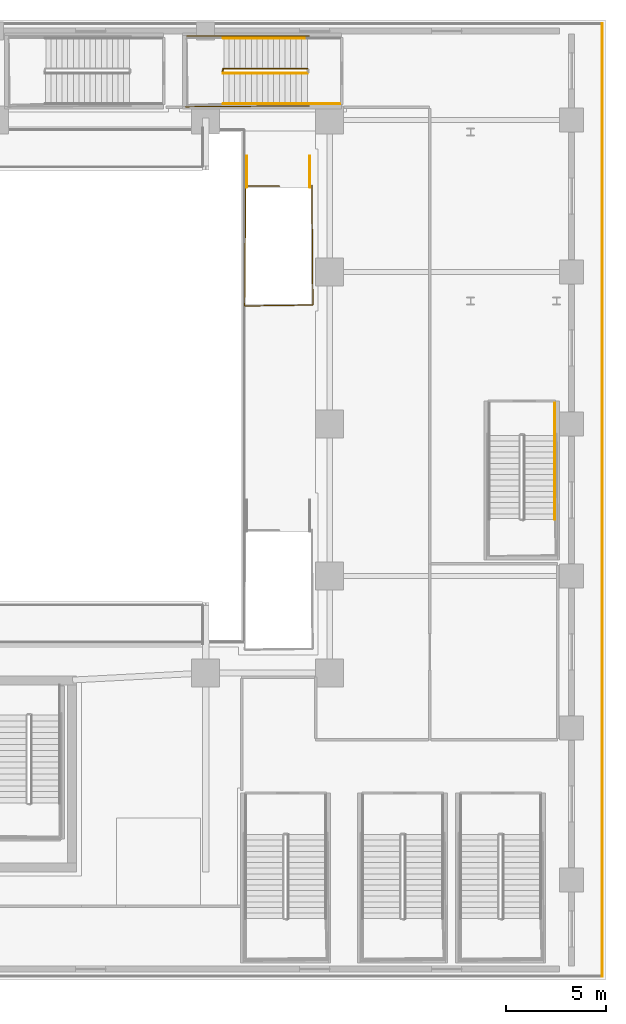
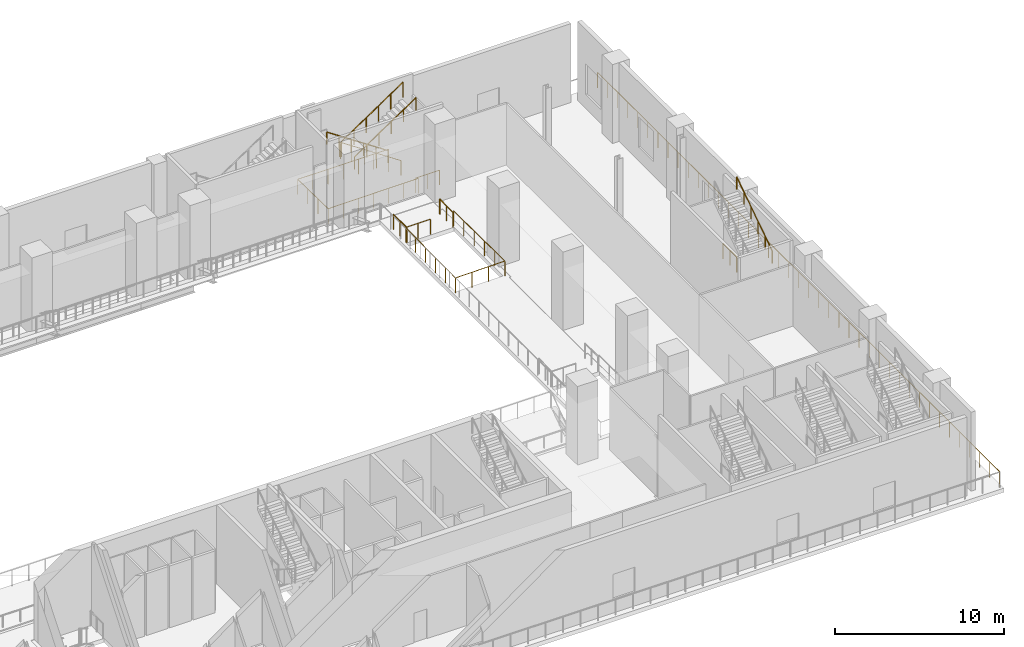
# One storey, part 27 of 28: 12 railings.
"""IFC4 building model written with IfcOpenShell, lengths in metres."""

from ifc_helpers import new_model, si_unit, direction, frame, origin, origin_2d, place, context, subcontext, project, spatial, circle, extrude, material, layer, layer_set, type_object, element, save


model = new_model("IFC4")

# Units and contexts
model_context = context("Model", 3, precision=1e-05, world=origin(), true_north=direction((0.0, 1.0)))
body_context = subcontext(model_context, "Body", "Model", "MODEL_VIEW")
ifc_project = project(units=[si_unit("LENGTHUNIT", "METRE"), si_unit("AREAUNIT", "SQUARE_METRE"), si_unit("VOLUMEUNIT", "CUBIC_METRE"), si_unit("PLANEANGLEUNIT", "RADIAN"), si_unit("MASSUNIT", "GRAM", prefix="KILO")], contexts=[model_context])

# Site, building, storey
site_placement = place(None, origin())
site = spatial("IfcSite", under=ifc_project, at=site_placement, CompositionType="ELEMENT")
building_placement = place(site_placement, origin())
building = spatial("IfcBuilding", under=site, at=building_placement, Name="Ndaravel Arena Tower", CompositionType="ELEMENT")
storey_placement = place(building_placement, frame((0.0, 0.0, 18.0)))
storey = spatial("IfcBuildingStorey", under=building, at=storey_placement, Name="L03", CompositionType="ELEMENT", Elevation=18.0)

# Railings
ifc_material_1 = material(Name="Steel S355", Category="steel")
ifc_layer_1 = layer(ifc_material_1, 0.06005859375)
ifc_layer_set_1 = layer_set([ifc_layer_1], Name="Steel S355")
railing_type_1 = type_object("IfcRailingType", Name="RAIL-STAIR-GD1100", PredefinedType="GUARDRAIL", material=ifc_layer_set_1)
railing_1_placement = place(storey_placement, frame((69.080078125, 45.570068359375, 0.1875)))
element("IfcRailing", 1, at=railing_1_placement, inside=storey, type_object=railing_type_1, Name="L03 ST-A11 stair guard 1", PredefinedType="GUARDRAIL", context=body_context, shape_type="SweptSolid", body=[
    extrude(circle(Radius=0.02392578125, at=origin_2d()), frame((0.0, 0.0, 1.076171875), z_axis=(-0.830919138977, 0.0, 0.55639319234), x_axis=(0.0, -1.0, 0.0)), (0.0, 0.0, 1.0), 5.054931640625),
    extrude(circle(Radius=0.02392578125, at=origin_2d()), frame((-4.2001953125, 0.0, 3.888671875), z_axis=(-0.253331722487, -0.967379469692, 0.0), x_axis=(0.967379469692, -0.253331722487, 0.0)), (0.0, 0.0, 1.0), 0.196533203125),
    extrude(circle(Radius=0.02099609375, at=origin_2d()), origin(), (0.0, 0.0, 1.0), 1.052001953125),
    extrude(circle(Radius=0.02099609375, at=origin_2d()), frame((-0.840087890625, 0.0, 0.5625)), (0.0, 0.0, 1.0), 1.052001953125),
    extrude(circle(Radius=0.02099609375, at=origin_2d()), frame((-1.68017578125, 0.0, 1.125)), (0.0, 0.0, 1.0), 1.052001953125),
    extrude(circle(Radius=0.02099609375, at=origin_2d()), frame((-2.52001953125, 0.0, 1.6875)), (0.0, 0.0, 1.0), 1.052001953125),
    extrude(circle(Radius=0.02099609375, at=origin_2d()), frame((-3.360107421875, 0.0, 2.25)), (0.0, 0.0, 1.0), 1.052001953125),
    extrude(circle(Radius=0.02099609375, at=origin_2d()), frame((-4.2001953125, 0.0, 2.8125)), (0.0, 0.0, 1.0), 1.052001953125),
    extrude(circle(Radius=0.02099609375, at=origin_2d()), frame((-4.25, -0.190185546875, 2.8125)), (0.0, 0.0, 1.0), 1.052001953125),
])
railing_2_placement = place(storey_placement, frame((64.8798828125, 45.330078125, 3.1875)))
element("IfcRailing", 2, at=railing_2_placement, inside=storey, type_object=railing_type_1, Name="L03 ST-A11 stair guard 3", PredefinedType="GUARDRAIL", context=body_context, shape_type="SweptSolid", body=[
    extrude(circle(Radius=0.02392578125, at=origin_2d()), frame((0.0, 0.0, 1.076171875), z_axis=(0.830919138977, 0.0, 0.55639319234), x_axis=(0.0, 1.0, 0.0)), (0.0, 0.0, 1.0), 5.054931640625),
    extrude(circle(Radius=0.02099609375, at=origin_2d()), origin(), (0.0, 0.0, 1.0), 1.052001953125),
    extrude(circle(Radius=0.02099609375, at=origin_2d()), frame((0.840087890625, 0.0, 0.5625)), (0.0, 0.0, 1.0), 1.052001953125),
    extrude(circle(Radius=0.02099609375, at=origin_2d()), frame((1.68017578125, 0.0, 1.125)), (0.0, 0.0, 1.0), 1.052001953125),
    extrude(circle(Radius=0.02099609375, at=origin_2d()), frame((2.52001953125, 0.0, 1.6875)), (0.0, 0.0, 1.0), 1.052001953125),
    extrude(circle(Radius=0.02099609375, at=origin_2d()), frame((3.360107421875, 0.0, 2.25)), (0.0, 0.0, 1.0), 1.052001953125),
    extrude(circle(Radius=0.02099609375, at=origin_2d()), frame((4.2001953125, 0.0, 2.8125)), (0.0, 0.0, 1.0), 1.052001953125),
])
railing_3_placement = place(storey_placement, frame((70.699951171875, 43.81005859375, 0.0)))
element("IfcRailing", 3, at=railing_3_placement, inside=storey, type_object=railing_type_1, Name="L03 ST-A11 stair guard 6", PredefinedType="GUARDRAIL", context=body_context, shape_type="SweptSolid", body=[
    extrude(circle(Radius=0.02392578125, at=origin_2d()), frame((0.0, 0.0, 1.076171875), z_axis=(-1.0, 0.0, 0.0), x_axis=(0.0, -1.0, 0.0)), (0.0, 0.0, 1.0), 1.619873046875),
    extrude(circle(Radius=0.02099609375, at=origin_2d()), origin(), (0.0, 0.0, 1.0), 1.052001953125),
    extrude(circle(Radius=0.02099609375, at=origin_2d()), frame((-0.81005859375, 0.0, 0.0)), (0.0, 0.0, 1.0), 1.052001953125),
    extrude(circle(Radius=0.02099609375, at=origin_2d()), frame((-1.619873046875, 0.0, 0.0)), (0.0, 0.0, 1.0), 1.052001953125),
])
railing_4_placement = place(storey_placement, frame((69.179931640625, 47.18994140625, 0.0)))
element("IfcRailing", 4, at=railing_4_placement, inside=storey, type_object=railing_type_1, Name="L03 ST-A11 stair guard 7", PredefinedType="GUARDRAIL", context=body_context, shape_type="SweptSolid", body=[
    extrude(circle(Radius=0.02392578125, at=origin_2d()), frame((0.0, 0.0, 1.076171875), z_axis=(-1.0, 0.0, 0.0), x_axis=(0.0, -1.0, 0.0)), (0.0, 0.0, 1.0), 6.22998046875),
    extrude(circle(Radius=0.02392578125, at=origin_2d()), frame((-6.22998046875, 0.0, 1.076171875), z_axis=(0.014176595818, -0.999899507016, 0.0), x_axis=(0.999899507016, 0.014176595818, 0.0)), (0.0, 0.0, 1.0), 3.5302734375),
    extrude(circle(Radius=0.02392578125, at=origin_2d()), frame((-6.179931640625, -3.530029296875, 1.076171875), z_axis=(0.999967207908, 0.008098339889, 0.0), x_axis=(-0.008098339889, 0.999967207908, 0.0)), (0.0, 0.0, 1.0), 6.18017578125),
    extrude(circle(Radius=0.02099609375, at=origin_2d()), origin(), (0.0, 0.0, 1.0), 1.052001953125),
    extrude(circle(Radius=0.02099609375, at=origin_2d()), frame((-1.038330078125, 0.0, 0.0)), (0.0, 0.0, 1.0), 1.052001953125),
    extrude(circle(Radius=0.02099609375, at=origin_2d()), frame((-2.07666015625, 0.0, 0.0)), (0.0, 0.0, 1.0), 1.052001953125),
    extrude(circle(Radius=0.02099609375, at=origin_2d()), frame((-3.114990234375, 0.0, 0.0)), (0.0, 0.0, 1.0), 1.052001953125),
    extrude(circle(Radius=0.02099609375, at=origin_2d()), frame((-4.1533203125, 0.0, 0.0)), (0.0, 0.0, 1.0), 1.052001953125),
    extrude(circle(Radius=0.02099609375, at=origin_2d()), frame((-5.191650390625, 0.0, 0.0)), (0.0, 0.0, 1.0), 1.052001953125),
    extrude(circle(Radius=0.02099609375, at=origin_2d()), frame((-6.22998046875, 0.0, 0.0)), (0.0, 0.0, 1.0), 1.052001953125),
    extrude(circle(Radius=0.02099609375, at=origin_2d()), frame((-6.21337890625, -1.1767578125, 0.0)), (0.0, 0.0, 1.0), 1.052001953125),
    extrude(circle(Radius=0.02099609375, at=origin_2d()), frame((-6.196533203125, -2.353271484375, 0.0)), (0.0, 0.0, 1.0), 1.052001953125),
    extrude(circle(Radius=0.02099609375, at=origin_2d()), frame((-6.179931640625, -3.530029296875, 0.0)), (0.0, 0.0, 1.0), 1.052001953125),
    extrude(circle(Radius=0.02099609375, at=origin_2d()), frame((-5.14990234375, -3.521728515625, 0.0)), (0.0, 0.0, 1.0), 1.052001953125),
    extrude(circle(Radius=0.02099609375, at=origin_2d()), frame((-4.119873046875, -3.513427734375, 0.0)), (0.0, 0.0, 1.0), 1.052001953125),
    extrude(circle(Radius=0.02099609375, at=origin_2d()), frame((-3.08984375, -3.5048828125, 0.0)), (0.0, 0.0, 1.0), 1.052001953125),
    extrude(circle(Radius=0.02099609375, at=origin_2d()), frame((-2.06005859375, -3.49658203125, 0.0)), (0.0, 0.0, 1.0), 1.052001953125),
    extrude(circle(Radius=0.02099609375, at=origin_2d()), frame((-1.030029296875, -3.48828125, 0.0)), (0.0, 0.0, 1.0), 1.052001953125),
    extrude(circle(Radius=0.02099609375, at=origin_2d()), frame((0.0, -3.47998046875, 0.0)), (0.0, 0.0, 1.0), 1.052001953125),
])
railing_5_placement = place(storey_placement, frame((81.449951171875, 28.85009765625, 0.0)))
element("IfcRailing", 5, at=railing_5_placement, inside=storey, type_object=railing_type_1, Name="L03 ST-A12 stair guard 6", PredefinedType="GUARDRAIL", context=body_context, shape_type="SweptSolid", body=[
    extrude(circle(Radius=0.02392578125, at=origin_2d()), frame((0.0, 0.0, 1.076171875), z_axis=(0.0, -1.0, 0.0), x_axis=(1.0, 0.0, 0.0)), (0.0, 0.0, 1.0), 1.6201171875),
    extrude(circle(Radius=0.02099609375, at=origin_2d()), origin(), (0.0, 0.0, 1.0), 1.052001953125),
    extrude(circle(Radius=0.02099609375, at=origin_2d()), frame((0.0, -0.81005859375, 0.0)), (0.0, 0.0, 1.0), 1.052001953125),
    extrude(circle(Radius=0.02099609375, at=origin_2d()), frame((0.0, -1.6201171875, 0.0)), (0.0, 0.0, 1.0), 1.052001953125),
])
railing_6_placement = place(storey_placement, frame((69.31005859375, 39.739990234375, 0.0)))
element("IfcRailing", 6, at=railing_6_placement, inside=storey, type_object=railing_type_1, Name="L03 ST-VOM-4 top well guard 1", PredefinedType="GUARDRAIL", context=body_context, shape_type="SweptSolid", body=[
    extrude(circle(Radius=0.02392578125, at=origin_2d()), frame((0.0, 0.0, 1.076171875), z_axis=(0.008355118995, -0.999965095384, 0.0), x_axis=(0.999965095384, 0.008355118995, 0.0)), (0.0, 0.0, 1.0), 5.990234375),
    extrude(circle(Radius=0.02392578125, at=origin_2d()), frame((0.050048828125, -5.989990234375, 1.076171875), z_axis=(-0.99989231899, -0.014674822837, 0.0), x_axis=(0.014674822837, -0.99989231899, 0.0)), (0.0, 0.0, 1.0), 3.41064453125),
    extrude(circle(Radius=0.02392578125, at=origin_2d()), frame((-3.360107421875, -6.0400390625, 1.076171875), z_axis=(0.008355118995, 0.999965095384, 0.0), x_axis=(-0.999965095384, 0.008355118995, 0.0)), (0.0, 0.0, 1.0), 5.990234375),
    extrude(circle(Radius=0.02392578125, at=origin_2d()), frame((-3.31005859375, -0.050048828125, 1.076171875), z_axis=(1.0, 0.0, 0.0), x_axis=(0.0, 1.0, 0.0)), (0.0, 0.0, 1.0), 1.699951171875),
    extrude(circle(Radius=0.02099609375, at=origin_2d()), origin(), (0.0, 0.0, 1.0), 1.052001953125),
    extrude(circle(Radius=0.02099609375, at=origin_2d()), frame((0.010009765625, -1.197998046875, 0.0)), (0.0, 0.0, 1.0), 1.052001953125),
    extrude(circle(Radius=0.02099609375, at=origin_2d()), frame((0.02001953125, -2.39599609375, 0.0)), (0.0, 0.0, 1.0), 1.052001953125),
    extrude(circle(Radius=0.02099609375, at=origin_2d()), frame((0.030029296875, -3.593994140625, 0.0)), (0.0, 0.0, 1.0), 1.052001953125),
    extrude(circle(Radius=0.02099609375, at=origin_2d()), frame((0.0400390625, -4.7919921875, 0.0)), (0.0, 0.0, 1.0), 1.052001953125),
    extrude(circle(Radius=0.02099609375, at=origin_2d()), frame((0.050048828125, -5.989990234375, 0.0)), (0.0, 0.0, 1.0), 1.052001953125),
    extrude(circle(Radius=0.02099609375, at=origin_2d()), frame((-1.086669921875, -6.006591796875, 0.0)), (0.0, 0.0, 1.0), 1.052001953125),
    extrude(circle(Radius=0.02099609375, at=origin_2d()), frame((-2.223388671875, -6.0234375, 0.0)), (0.0, 0.0, 1.0), 1.052001953125),
    extrude(circle(Radius=0.02099609375, at=origin_2d()), frame((-3.360107421875, -6.0400390625, 0.0)), (0.0, 0.0, 1.0), 1.052001953125),
    extrude(circle(Radius=0.02099609375, at=origin_2d()), frame((-3.35009765625, -4.842041015625, 0.0)), (0.0, 0.0, 1.0), 1.052001953125),
    extrude(circle(Radius=0.02099609375, at=origin_2d()), frame((-3.340087890625, -3.64404296875, 0.0)), (0.0, 0.0, 1.0), 1.052001953125),
    extrude(circle(Radius=0.02099609375, at=origin_2d()), frame((-3.330078125, -2.446044921875, 0.0)), (0.0, 0.0, 1.0), 1.052001953125),
    extrude(circle(Radius=0.02099609375, at=origin_2d()), frame((-3.320068359375, -1.248046875, 0.0)), (0.0, 0.0, 1.0), 1.052001953125),
    extrude(circle(Radius=0.02099609375, at=origin_2d()), frame((-3.31005859375, -0.050048828125, 0.0)), (0.0, 0.0, 1.0), 1.052001953125),
    extrude(circle(Radius=0.02099609375, at=origin_2d()), frame((-2.4599609375, -0.050048828125, 0.0)), (0.0, 0.0, 1.0), 1.052001953125),
    extrude(circle(Radius=0.02099609375, at=origin_2d()), frame((-1.610107421875, -0.050048828125, 0.0)), (0.0, 0.0, 1.0), 1.052001953125),
])
for number, where, name in (
    (7, (66.050048828125, 41.199951171875, 0.0), "L03 ST-VOM-4 top well guard 2"),
    (8, (69.2099609375, 41.199951171875, 0.0), "L03 ST-VOM-4 top well guard 3"),
):
    element("IfcRailing", number, at=place(storey_placement, frame(where)), inside=storey, type_object=railing_type_1, Name=name, PredefinedType="GUARDRAIL", context=body_context, shape_type="SweptSolid", body=[
        extrude(circle(Radius=0.02392578125, at=origin_2d()), frame((0.0, 0.0, 1.076171875), z_axis=(0.0, -1.0, 0.0), x_axis=(1.0, 0.0, 0.0)), (0.0, 0.0, 1.0), 1.56005859375),
        extrude(circle(Radius=0.02099609375, at=origin_2d()), origin(), (0.0, 0.0, 1.0), 1.052001953125),
        extrude(circle(Radius=0.02099609375, at=origin_2d()), frame((0.0, -0.780029296875, 0.0)), (0.0, 0.0, 1.0), 1.052001953125),
        extrude(circle(Radius=0.02099609375, at=origin_2d()), frame((0.0, -1.56005859375, 0.0)), (0.0, 0.0, 1.0), 1.052001953125),
    ])
ifc_material_2 = material(Name="Steel S355", Category="steel")
ifc_layer_2 = layer(ifc_material_2, 0.050048828125)
ifc_layer_set_2 = layer_set([ifc_layer_2], Name="Steel S355")
railing_type_2 = type_object("IfcRailingType", Name="RAIL-STAIR-HR920", PredefinedType="HANDRAIL", material=ifc_layer_set_2)
railing_7_placement = place(storey_placement, frame((69.080078125, 47.090087890625, 0.1875)))
element("IfcRailing", 9, at=railing_7_placement, inside=storey, type_object=railing_type_2, Name="L03 ST-A11 stair handrail 1", PredefinedType="HANDRAIL", context=body_context, shape_type="SweptSolid", body=[
    extrude(circle(Radius=0.02392578125, at=origin_2d()), frame((0.0, 0.0, 0.8759765625), z_axis=(-0.830919138977, 0.0, 0.55639319234), x_axis=(0.0, -1.0, 0.0)), (0.0, 0.0, 1.0), 5.054931640625),
    extrude(circle(Radius=0.02099609375, at=origin_2d()), origin(), (0.0, 0.0, 1.0), 0.851806640625),
    extrude(circle(Radius=0.02099609375, at=origin_2d()), frame((-0.840087890625, 0.0, 0.5625)), (0.0, 0.0, 1.0), 0.851806640625),
    extrude(circle(Radius=0.02099609375, at=origin_2d()), frame((-1.68017578125, 0.0, 1.125)), (0.0, 0.0, 1.0), 0.851806640625),
    extrude(circle(Radius=0.02099609375, at=origin_2d()), frame((-2.52001953125, 0.0, 1.6875)), (0.0, 0.0, 1.0), 0.851806640625),
    extrude(circle(Radius=0.02099609375, at=origin_2d()), frame((-3.360107421875, 0.0, 2.25)), (0.0, 0.0, 1.0), 0.851806640625),
    extrude(circle(Radius=0.02099609375, at=origin_2d()), frame((-4.2001953125, 0.0, 2.8125)), (0.0, 0.0, 1.0), 0.851806640625),
])
railing_8_placement = place(storey_placement, frame((64.8798828125, 43.81005859375, 3.1875)))
element("IfcRailing", 10, at=railing_8_placement, inside=storey, type_object=railing_type_2, Name="L03 ST-A11 stair handrail 2", PredefinedType="HANDRAIL", context=body_context, shape_type="SweptSolid", body=[
    extrude(circle(Radius=0.02392578125, at=origin_2d()), frame((0.0, 0.0, 0.8759765625), z_axis=(0.830919138977, 0.0, 0.55639319234), x_axis=(0.0, 1.0, 0.0)), (0.0, 0.0, 1.0), 5.054931640625),
    extrude(circle(Radius=0.02099609375, at=origin_2d()), origin(), (0.0, 0.0, 1.0), 0.851806640625),
    extrude(circle(Radius=0.02099609375, at=origin_2d()), frame((0.840087890625, 0.0, 0.5625)), (0.0, 0.0, 1.0), 0.851806640625),
    extrude(circle(Radius=0.02099609375, at=origin_2d()), frame((1.68017578125, 0.0, 1.125)), (0.0, 0.0, 1.0), 0.851806640625),
    extrude(circle(Radius=0.02099609375, at=origin_2d()), frame((2.52001953125, 0.0, 1.6875)), (0.0, 0.0, 1.0), 0.851806640625),
    extrude(circle(Radius=0.02099609375, at=origin_2d()), frame((3.360107421875, 0.0, 2.25)), (0.0, 0.0, 1.0), 0.851806640625),
    extrude(circle(Radius=0.02099609375, at=origin_2d()), frame((4.2001953125, 0.0, 2.8125)), (0.0, 0.0, 1.0), 0.851806640625),
])
railing_9_placement = place(storey_placement, frame((81.449951171875, 23.030029296875, 3.1875)))
element("IfcRailing", 11, at=railing_9_placement, inside=storey, type_object=railing_type_2, Name="L03 ST-A12 stair handrail 2", PredefinedType="HANDRAIL", context=body_context, shape_type="SweptSolid", body=[
    extrude(circle(Radius=0.02392578125, at=origin_2d()), frame((0.0, 0.0, 0.8759765625), z_axis=(0.0, 0.830904186295, 0.556415522067), x_axis=(-1.0, 0.0, 0.0)), (0.0, 0.0, 1.0), 5.0546875),
    extrude(circle(Radius=0.02099609375, at=origin_2d()), origin(), (0.0, 0.0, 1.0), 0.851806640625),
    extrude(circle(Radius=0.02099609375, at=origin_2d()), frame((0.0, 0.840087890625, 0.5625)), (0.0, 0.0, 1.0), 0.851806640625),
    extrude(circle(Radius=0.02099609375, at=origin_2d()), frame((0.0, 1.679931640625, 1.125)), (0.0, 0.0, 1.0), 0.851806640625),
    extrude(circle(Radius=0.02099609375, at=origin_2d()), frame((0.0, 2.52001953125, 1.6875)), (0.0, 0.0, 1.0), 0.851806640625),
    extrude(circle(Radius=0.02099609375, at=origin_2d()), frame((0.0, 3.35986328125, 2.25)), (0.0, 0.0, 1.0), 0.851806640625),
    extrude(circle(Radius=0.02099609375, at=origin_2d()), frame((0.0, 4.199951171875, 2.8125)), (0.0, 0.0, 1.0), 0.851806640625),
])
ifc_material_3 = material(Name="Glazing", Category="glass")
ifc_layer_3 = layer(ifc_material_3, 0.070068359375)
ifc_layer_set_3 = layer_set([ifc_layer_3], Name="Glazing")
railing_type_3 = type_object("IfcRailingType", Name="RAIL-TERRACE-1150", PredefinedType="BALUSTRADE", material=ifc_layer_set_3)
railing_10_placement = place(storey_placement, frame((83.820068359375, 0.179931640625, 0.0)))
element("IfcRailing", 12, at=railing_10_placement, inside=storey, type_object=railing_type_3, Name="L03 Podium Perimeter Edge Guard 2", PredefinedType="BALUSTRADE", context=body_context, shape_type="SweptSolid", body=[
    extrude(circle(Radius=0.02392578125, at=origin_2d()), frame((0.0, 0.0, 1.1259765625), z_axis=(0.0, 1.0, 0.0), x_axis=(-1.0, 0.0, 0.0)), (0.0, 0.0, 1.0), 47.64013671875),
    extrude(circle(Radius=0.02099609375, at=origin_2d()), origin(), (0.0, 0.0, 1.0), 1.101806640625),
    extrude(circle(Radius=0.02099609375, at=origin_2d()), frame((0.0, 1.19091796875, 0.0)), (0.0, 0.0, 1.0), 1.101806640625),
    extrude(circle(Radius=0.02099609375, at=origin_2d()), frame((0.0, 2.382080078125, 0.0)), (0.0, 0.0, 1.0), 1.101806640625),
    extrude(circle(Radius=0.02099609375, at=origin_2d()), frame((0.0, 3.572998046875, 0.0)), (0.0, 0.0, 1.0), 1.101806640625),
    extrude(circle(Radius=0.02099609375, at=origin_2d()), frame((0.0, 4.763916015625, 0.0)), (0.0, 0.0, 1.0), 1.101806640625),
    extrude(circle(Radius=0.02099609375, at=origin_2d()), frame((0.0, 5.955078125, 0.0)), (0.0, 0.0, 1.0), 1.101806640625),
    extrude(circle(Radius=0.02099609375, at=origin_2d()), frame((0.0, 7.14599609375, 0.0)), (0.0, 0.0, 1.0), 1.101806640625),
    extrude(circle(Radius=0.02099609375, at=origin_2d()), frame((0.0, 8.3369140625, 0.0)), (0.0, 0.0, 1.0), 1.101806640625),
    extrude(circle(Radius=0.02099609375, at=origin_2d()), frame((0.0, 9.528076171875, 0.0)), (0.0, 0.0, 1.0), 1.101806640625),
    extrude(circle(Radius=0.02099609375, at=origin_2d()), frame((0.0, 10.718994140625, 0.0)), (0.0, 0.0, 1.0), 1.101806640625),
    extrude(circle(Radius=0.02099609375, at=origin_2d()), frame((0.0, 11.91015625, 0.0)), (0.0, 0.0, 1.0), 1.101806640625),
    extrude(circle(Radius=0.02099609375, at=origin_2d()), frame((0.0, 13.10107421875, 0.0)), (0.0, 0.0, 1.0), 1.101806640625),
    extrude(circle(Radius=0.02099609375, at=origin_2d()), frame((0.0, 14.2919921875, 0.0)), (0.0, 0.0, 1.0), 1.101806640625),
    extrude(circle(Radius=0.02099609375, at=origin_2d()), frame((0.0, 15.483154296875, 0.0)), (0.0, 0.0, 1.0), 1.101806640625),
    extrude(circle(Radius=0.02099609375, at=origin_2d()), frame((0.0, 16.674072265625, 0.0)), (0.0, 0.0, 1.0), 1.101806640625),
    extrude(circle(Radius=0.02099609375, at=origin_2d()), frame((0.0, 17.864990234375, 0.0)), (0.0, 0.0, 1.0), 1.101806640625),
    extrude(circle(Radius=0.02099609375, at=origin_2d()), frame((0.0, 19.05615234375, 0.0)), (0.0, 0.0, 1.0), 1.101806640625),
    extrude(circle(Radius=0.02099609375, at=origin_2d()), frame((0.0, 20.2470703125, 0.0)), (0.0, 0.0, 1.0), 1.101806640625),
    extrude(circle(Radius=0.02099609375, at=origin_2d()), frame((0.0, 21.43798828125, 0.0)), (0.0, 0.0, 1.0), 1.101806640625),
    extrude(circle(Radius=0.02099609375, at=origin_2d()), frame((0.0, 22.629150390625, 0.0)), (0.0, 0.0, 1.0), 1.101806640625),
    extrude(circle(Radius=0.02099609375, at=origin_2d()), frame((0.0, 23.820068359375, 0.0)), (0.0, 0.0, 1.0), 1.101806640625),
    extrude(circle(Radius=0.02099609375, at=origin_2d()), frame((0.0, 25.010986328125, 0.0)), (0.0, 0.0, 1.0), 1.101806640625),
    extrude(circle(Radius=0.02099609375, at=origin_2d()), frame((0.0, 26.2021484375, 0.0)), (0.0, 0.0, 1.0), 1.101806640625),
    extrude(circle(Radius=0.02099609375, at=origin_2d()), frame((0.0, 27.39306640625, 0.0)), (0.0, 0.0, 1.0), 1.101806640625),
    extrude(circle(Radius=0.02099609375, at=origin_2d()), frame((0.0, 28.583984375, 0.0)), (0.0, 0.0, 1.0), 1.101806640625),
    extrude(circle(Radius=0.02099609375, at=origin_2d()), frame((0.0, 29.775146484375, 0.0)), (0.0, 0.0, 1.0), 1.101806640625),
    extrude(circle(Radius=0.02099609375, at=origin_2d()), frame((0.0, 30.966064453125, 0.0)), (0.0, 0.0, 1.0), 1.101806640625),
    extrude(circle(Radius=0.02099609375, at=origin_2d()), frame((0.0, 32.156982421875, 0.0)), (0.0, 0.0, 1.0), 1.101806640625),
    extrude(circle(Radius=0.02099609375, at=origin_2d()), frame((0.0, 33.34814453125, 0.0)), (0.0, 0.0, 1.0), 1.101806640625),
    extrude(circle(Radius=0.02099609375, at=origin_2d()), frame((0.0, 34.5390625, 0.0)), (0.0, 0.0, 1.0), 1.101806640625),
    extrude(circle(Radius=0.02099609375, at=origin_2d()), frame((0.0, 35.72998046875, 0.0)), (0.0, 0.0, 1.0), 1.101806640625),
    extrude(circle(Radius=0.02099609375, at=origin_2d()), frame((0.0, 36.921142578125, 0.0)), (0.0, 0.0, 1.0), 1.101806640625),
    extrude(circle(Radius=0.02099609375, at=origin_2d()), frame((0.0, 38.112060546875, 0.0)), (0.0, 0.0, 1.0), 1.101806640625),
    extrude(circle(Radius=0.02099609375, at=origin_2d()), frame((0.0, 39.30322265625, 0.0)), (0.0, 0.0, 1.0), 1.101806640625),
    extrude(circle(Radius=0.02099609375, at=origin_2d()), frame((0.0, 40.494140625, 0.0)), (0.0, 0.0, 1.0), 1.101806640625),
    extrude(circle(Radius=0.02099609375, at=origin_2d()), frame((0.0, 41.68505859375, 0.0)), (0.0, 0.0, 1.0), 1.101806640625),
    extrude(circle(Radius=0.02099609375, at=origin_2d()), frame((0.0, 42.876220703125, 0.0)), (0.0, 0.0, 1.0), 1.101806640625),
    extrude(circle(Radius=0.02099609375, at=origin_2d()), frame((0.0, 44.067138671875, 0.0)), (0.0, 0.0, 1.0), 1.101806640625),
    extrude(circle(Radius=0.02099609375, at=origin_2d()), frame((0.0, 45.258056640625, 0.0)), (0.0, 0.0, 1.0), 1.101806640625),
    extrude(circle(Radius=0.02099609375, at=origin_2d()), frame((0.0, 46.44921875, 0.0)), (0.0, 0.0, 1.0), 1.101806640625),
    extrude(circle(Radius=0.02099609375, at=origin_2d()), frame((0.0, 47.64013671875, 0.0)), (0.0, 0.0, 1.0), 1.101806640625),
])

save(model, "model.ifc")
